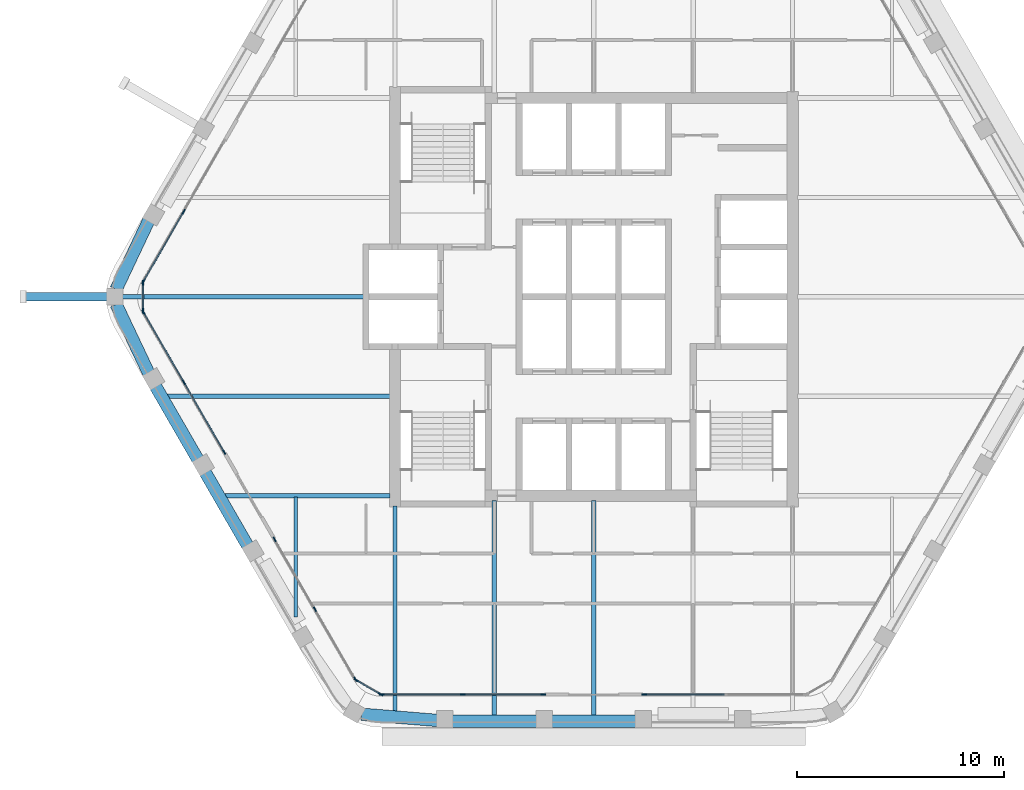
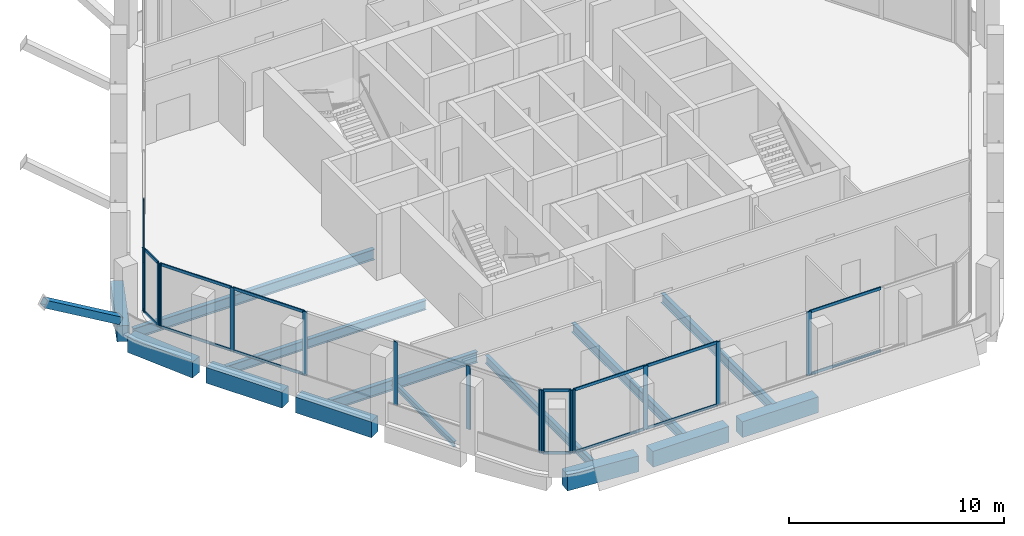
# One storey, part 2 of 14: 33 members, 14 beams, 7 elements without a shape of their own.
"""IFC4 building model written with IfcOpenShell, lengths in metres."""

from ifc_helpers import new_model, si_unit, direction, frame, origin, origin_2d, place, context, subcontext, project, spatial, rectangle, hollow_rectangle, i_section, extrude, material, material_profile, profile_set, type_object, element, aggregate, save


model = new_model("IFC4")

# Units and contexts
model_context = context("Model", 3, precision=1e-05, world=origin(), true_north=direction((0.0, 1.0)))
body_context = subcontext(model_context, "Body", "Model", "MODEL_VIEW")
ifc_project = project(units=[si_unit("LENGTHUNIT", "METRE"), si_unit("AREAUNIT", "SQUARE_METRE"), si_unit("VOLUMEUNIT", "CUBIC_METRE"), si_unit("PLANEANGLEUNIT", "RADIAN"), si_unit("MASSUNIT", "GRAM", prefix="KILO")], contexts=[model_context])

# Site, building, storey
site_placement = place(None, origin())
site = spatial("IfcSite", under=ifc_project, at=site_placement, CompositionType="ELEMENT")
building_placement = place(site_placement, origin())
building = spatial("IfcBuilding", under=site, at=building_placement, Name="Kolab Exchange Tower", CompositionType="ELEMENT")
storey_placement = place(building_placement, frame((0.0, 0.0, 250.10009765625)))
storey = spatial("IfcBuildingStorey", under=building, at=storey_placement, Name="L55", CompositionType="ELEMENT", Elevation=250.10009765625)

# Beams
ifc_material_1 = material(Name="Steel S355", Category="steel")
ifc_material_profile_1 = material_profile(ifc_material_1, i_section(OverallWidth=0.1650390625, OverallDepth=0.31005859375, WebThickness=0.005859375, FlangeThickness=0.009765625, at=origin_2d()), Name="W310X39")
ifc_profile_set_1 = profile_set([ifc_material_profile_1], Name="Steel S355")
beam_type_1 = type_object("IfcBeamType", Name="FLOOR BEAM W310X39", PredefinedType="BEAM", material=ifc_profile_set_1)
beam_1_placement = place(storey_placement, frame((-14.39990234375, -15.4677734375, -0.30517578125), z_axis=(0.0, 1.0, 0.0), x_axis=(-1.0, 0.0, 0.0)))
element("IfcBeam", 1, at=beam_1_placement, inside=storey, type_object=beam_type_1, Name="beam/L55/fr/003", PredefinedType="BEAM", context=body_context, shape_type="SweptSolid", body=[
    extrude(i_section(OverallWidth=0.1650390625, OverallDepth=0.31005859375, WebThickness=0.005859375, FlangeThickness=0.009765625, at=origin_2d()), origin(), (0.0, 0.0, 1.0), 5.793701171875),
])
ifc_material_profile_2 = material_profile(ifc_material_1, i_section(OverallWidth=0.18994140625, OverallDepth=0.45703125, WebThickness=0.009033203125, FlangeThickness=0.014404296875, at=origin_2d()), Name="W460X74")
ifc_profile_set_2 = profile_set([ifc_material_profile_2], Name="Steel S355")
beam_type_2 = type_object("IfcBeamType", Name="FLOOR BEAM W460X74", PredefinedType="BEAM", material=ifc_profile_set_2)
beam_2_placement = place(storey_placement, frame((-9.60009765625, -20.027099609375, -0.378662109375), z_axis=(0.0, 1.0, 0.0), x_axis=(-1.0, 0.0, 0.0)))
element("IfcBeam", 2, at=beam_2_placement, inside=storey, type_object=beam_type_2, Name="beam/L55/fr/005", PredefinedType="BEAM", context=body_context, shape_type="SweptSolid", body=[
    extrude(i_section(OverallWidth=0.18994140625, OverallDepth=0.45703125, WebThickness=0.009033203125, FlangeThickness=0.014404296875, at=origin_2d()), origin(), (0.0, 0.0, 1.0), 9.9169921875),
])
ifc_material_profile_3 = material_profile(ifc_material_1, i_section(OverallWidth=0.208984375, OverallDepth=0.532958984375, WebThickness=0.01025390625, FlangeThickness=0.015625, at=origin_2d()), Name="W530X92")
ifc_profile_set_3 = profile_set([ifc_material_profile_3], Name="Steel S355")
beam_type_3 = type_object("IfcBeamType", Name="FLOOR BEAM W530X92", PredefinedType="BEAM", material=ifc_profile_set_3)
beam_3_placement = place(storey_placement, frame((-20.575927734375, -4.800048828125, -0.41650390625), z_axis=(1.0, 0.0, 0.0), x_axis=(0.0, 1.0, 0.0)))
element("IfcBeam", 3, at=beam_3_placement, inside=storey, type_object=beam_type_3, Name="beam/L55/fr/001", PredefinedType="BEAM", context=body_context, shape_type="SweptSolid", body=[
    extrude(i_section(OverallWidth=0.208984375, OverallDepth=0.532958984375, WebThickness=0.01025390625, FlangeThickness=0.015625, at=origin_2d()), origin(), (0.0, 0.0, 1.0), 10.740966796875),
])
for number, where, z_axis, x_axis, name in (
    (4, (-4.800048828125, -20.224609375, -0.41650390625), (0.0, 1.0, 0.0), (-1.0, 0.0, 0.0), "beam/L55/fr/007"),
    (5, (0.0, -20.224609375, -0.41650390625), (0.0, 1.0, 0.0), (-1.0, 0.0, 0.0), "beam/L55/fr/009"),
):
    element("IfcBeam", number, at=place(storey_placement, frame(where, z_axis=z_axis, x_axis=x_axis)), inside=storey, type_object=beam_type_3, Name=name, PredefinedType="BEAM", context=body_context, shape_type="SweptSolid", body=[
        extrude(i_section(OverallWidth=0.208984375, OverallDepth=0.532958984375, WebThickness=0.01025390625, FlangeThickness=0.015625, at=origin_2d()), origin(), (0.0, 0.0, 1.0), 10.3896484375),
    ])
ifc_material_profile_4 = material_profile(ifc_material_1, i_section(OverallWidth=0.22802734375, OverallDepth=0.60791015625, WebThickness=0.01123046875, FlangeThickness=0.017333984375, at=origin_2d()), Name="W610X113")
ifc_profile_set_4 = profile_set([ifc_material_profile_4], Name="Steel S355")
beam_type_4 = type_object("IfcBeamType", Name="FLOOR BEAM W610X113", PredefinedType="BEAM", material=ifc_profile_set_4)
beam_4_placement = place(storey_placement, frame((-22.77587890625, 0.0, -0.4541015625), z_axis=(1.0, 0.0, 0.0), x_axis=(0.0, 1.0, 0.0)))
element("IfcBeam", 6, at=beam_4_placement, inside=storey, type_object=beam_type_4, Name="beam/L55/fr/000", PredefinedType="BEAM", context=body_context, shape_type="SweptSolid", body=[
    extrude(i_section(OverallWidth=0.22802734375, OverallDepth=0.60791015625, WebThickness=0.01123046875, FlangeThickness=0.017333984375, at=origin_2d()), origin(), (0.0, 0.0, 1.0), 12.94091796875),
])
ifc_material_profile_5 = material_profile(ifc_material_1, i_section(OverallWidth=0.22802734375, OverallDepth=0.60791015625, WebThickness=0.01123046875, FlangeThickness=0.017333984375, at=origin_2d()), Name="W610X113")
ifc_profile_set_5 = profile_set([ifc_material_profile_5], Name="Steel S355")
beam_type_5 = type_object("IfcBeamType", Name="FLOOR GIRDER W610X113", PredefinedType="BEAM", material=ifc_profile_set_5)
beam_5_placement = place(storey_placement, frame((-17.8046875, -9.60009765625, -0.4541015625), z_axis=(1.0, 0.0, 0.0), x_axis=(0.0, 1.0, 0.0)))
element("IfcBeam", 7, at=beam_5_placement, inside=storey, type_object=beam_type_5, Name="beam/L55/gd/000", PredefinedType="BEAM", context=body_context, shape_type="SweptSolid", body=[
    extrude(i_section(OverallWidth=0.22802734375, OverallDepth=0.60791015625, WebThickness=0.01123046875, FlangeThickness=0.017333984375, at=origin_2d()), origin(), (0.0, 0.0, 1.0), 7.9697265625),
])

# Member
ifc_material_profile_6 = material_profile(ifc_material_1, hollow_rectangle(XDim=0.39990234375, YDim=0.39990234375, WallThickness=0.02001953125, at=origin_2d()), Name="HSS400X400X20")
ifc_profile_set_6 = profile_set([ifc_material_profile_6], Name="Steel S355")
member_type_1 = type_object("IfcMemberType", Name="LEDGE STRUT HSS400X400X20", PredefinedType="STRUT", material=ifc_profile_set_6)
member_1_placement = place(storey_placement, frame((-23.495849609375, 0.0, 0.599853515625), z_axis=(-0.862710518859, 0.0, 0.505698092394), x_axis=(0.0, -1.0, 0.0)))
element("IfcMember", 8, at=member_1_placement, inside=storey, type_object=member_type_1, Name="mem/L55/ledge/strut-0", PredefinedType="STRUT", context=body_context, shape_type="SweptSolid", body=[
    extrude(hollow_rectangle(XDim=0.39990234375, YDim=0.39990234375, WallThickness=0.02001953125, at=origin_2d()), origin(), (0.0, 0.0, 1.0), 4.682861328125),
])

# Beams
ifc_material_2 = material(Name="Concrete C50/60", Category="concrete")
ifc_material_profile_7 = material_profile(ifc_material_2, rectangle(XDim=0.60009765625, YDim=0.89990234375, at=origin_2d()), Name="RC600X900")
ifc_profile_set_7 = profile_set([ifc_material_profile_7], Name="Concrete C50/60")
beam_type_6 = type_object("IfcBeamType", Name="SPANDREL BEAM 600X900 C50/60", PredefinedType="BEAM", material=ifc_profile_set_7)
for number, where, z_axis, x_axis, name in (
    (9, (2.0400390625, -20.484619140625, -0.60009765625), (-1.0, 0.0, 0.0), (0.0, -1.0, 0.0), "beam/L55/sp/F4-03"),
    (10, (-2.760009765625, -20.484619140625, -0.60009765625), (-1.0, 0.0, 0.0), (0.0, -1.0, 0.0), "beam/L55/sp/F4-04"),
):
    element("IfcBeam", number, at=place(storey_placement, frame(where, z_axis=z_axis, x_axis=x_axis)), inside=storey, type_object=beam_type_6, Name=name, PredefinedType="BEAM", context=body_context, shape_type="SweptSolid", body=[
        extrude(rectangle(XDim=0.60009765625, YDim=0.89990234375, at=origin_2d()), origin(), (0.0, 0.0, 1.0), 4.080078125),
    ])
beam_6_placement = place(storey_placement, frame((-7.56005859375, -20.455078125, -0.60009765625), z_axis=(-0.996666751878, 0.081580547323, 0.0), x_axis=(-0.081580547323, -0.996666751878, 0.0)))
element("IfcBeam", 11, at=beam_6_placement, inside=storey, type_object=beam_type_6, Name="beam/L55/sp/F4-05", PredefinedType="BEAM", context=body_context, shape_type="SweptSolid", body=[
    extrude(rectangle(XDim=0.60009765625, YDim=0.89990234375, at=origin_2d()), origin(), (0.0, 0.0, 1.0), 3.6689453125),
])
for number, where, z_axis, x_axis, name in (
    (12, (-16.72021484375, -12.009033203125, -0.60009765625), (-0.500000428765, 0.866025156237, 0.0), (-0.866025156237, -0.500000428765, 0.0), "beam/L55/sp/F5-03"),
    (13, (-19.1201171875, -7.85205078125, -0.60009765625), (-0.500000428765, 0.866025156237, 0.0), (-0.866025156237, -0.500000428765, 0.0), "beam/L55/sp/F5-04"),
):
    element("IfcBeam", number, at=place(storey_placement, frame(where, z_axis=z_axis, x_axis=x_axis)), inside=storey, type_object=beam_type_6, Name=name, PredefinedType="BEAM", context=body_context, shape_type="SweptSolid", body=[
        extrude(rectangle(XDim=0.60009765625, YDim=0.89990234375, at=origin_2d()), origin(), (0.0, 0.0, 1.0), 4.080078125),
    ])
for number, where, z_axis, x_axis, name in (
    (14, (-21.49462890625, -3.68017578125, -0.60009765625), (-0.427677251998, 0.903931506323, 0.0), (-0.903931506323, -0.427677251998, 0.0), "beam/L55/sp/F5-05"),
    (15, (-23.063720703125, 0.36376953125, -0.60009765625), (0.427677251998, 0.903931506323, 0.0), (-0.903931506323, 0.427677251998, 0.0), "beam/L55/sp/F6-01"),
):
    element("IfcBeam", number, at=place(storey_placement, frame(where, z_axis=z_axis, x_axis=x_axis)), inside=storey, type_object=beam_type_6, Name=name, PredefinedType="BEAM", context=body_context, shape_type="SweptSolid", body=[
        extrude(rectangle(XDim=0.60009765625, YDim=0.89990234375, at=origin_2d()), origin(), (0.0, 0.0, 1.0), 3.6689453125),
    ])

# Curtain wall, member
ifc_material_3 = material(Name="Aluminium EN AW-6063 T6", Category="aluminium")
curtain_wall_type = type_object("IfcCurtainWallType", Name="UNITISED HIGH ZONE CURTAIN WALL", PredefinedType="NOTDEFINED", material=ifc_material_3)
curtain_wall_1_placement = place(storey_placement, origin())
curtain_wall_1 = element("IfcCurtainWall", 16, at=curtain_wall_1_placement, inside=storey, type_object=curtain_wall_type, Name="cw/L55/F4-1", PredefinedType="NOTDEFINED")
ifc_material_profile_8 = material_profile(ifc_material_3, rectangle(XDim=0.06005859375, YDim=0.239990234375, at=origin_2d()), Name="RECT 60X240")
ifc_profile_set_8 = profile_set([ifc_material_profile_8], Name="Aluminium EN AW-6063 T6")
member_type_2 = type_object("IfcMemberType", Name="UNITISED HIGH ZONE MULLION 60 X 240", PredefinedType="MULLION", material=ifc_profile_set_8)
member_2_placement = place(storey_placement, frame((2.429931640625, -19.20458984375, 0.0), z_axis=(0.0, 0.0, 1.0), x_axis=(0.0, -1.0, 0.0)))
member_2 = element("IfcMember", 17, at=member_2_placement, type_object=member_type_2, Name="CW4 mullion 3", PredefinedType="MULLION", context=body_context, shape_type="SweptSolid", body=[
    extrude(rectangle(XDim=0.06005859375, YDim=0.239990234375, at=origin_2d()), origin(), (0.0, 0.0, 1.0), 3.599853515625),
])

# Curtain wall, members
curtain_wall_2_placement = place(storey_placement, origin())
curtain_wall_2 = element("IfcCurtainWall", 18, at=curtain_wall_2_placement, inside=storey, type_object=curtain_wall_type, Name="cw/L55/F4-2", PredefinedType="NOTDEFINED")
member_3_placement = place(storey_placement, frame((-2.429931640625, -19.20458984375, 0.0), z_axis=(0.0, 0.0, 1.0), x_axis=(0.0, -1.0, 0.0)))
member_3 = element("IfcMember", 19, at=member_3_placement, type_object=member_type_2, Name="CW4 mullion 1", PredefinedType="MULLION", context=body_context, shape_type="SweptSolid", body=[
    extrude(rectangle(XDim=0.06005859375, YDim=0.239990234375, at=origin_2d()), origin(), (0.0, 0.0, 1.0), 3.599853515625),
])
member_4_placement = place(storey_placement, frame((-6.333984375, -19.20458984375, 0.0), z_axis=(0.0, 0.0, 1.0), x_axis=(0.0, -1.0, 0.0)))
member_4 = element("IfcMember", 20, at=member_4_placement, type_object=member_type_2, Name="CW4 mullion 2", PredefinedType="MULLION", context=body_context, shape_type="SweptSolid", body=[
    extrude(rectangle(XDim=0.06005859375, YDim=0.239990234375, at=origin_2d()), origin(), (0.0, 0.0, 1.0), 3.599853515625),
])
member_5_placement = place(storey_placement, frame((-10.238037109375, -19.20458984375, 0.0), z_axis=(0.0, 0.0, 1.0), x_axis=(0.0, -1.0, 0.0)))
member_5 = element("IfcMember", 21, at=member_5_placement, type_object=member_type_2, Name="CW4 mullion 3", PredefinedType="MULLION", context=body_context, shape_type="SweptSolid", body=[
    extrude(rectangle(XDim=0.06005859375, YDim=0.239990234375, at=origin_2d()), origin(), (0.0, 0.0, 1.0), 3.599853515625),
])

curtain_wall_3_placement = place(storey_placement, origin())
curtain_wall_3 = element("IfcCurtainWall", 22, at=curtain_wall_3_placement, inside=storey, type_object=curtain_wall_type, Name="cw/L55/F5-1", PredefinedType="NOTDEFINED")
member_6_placement = place(storey_placement, frame((-11.5126953125, -18.46875, 0.0), z_axis=(0.0, 0.0, 1.0), x_axis=(-0.866025385493, -0.500000031681, 0.0)))
member_6 = element("IfcMember", 23, at=member_6_placement, type_object=member_type_2, Name="CW4 mullion 1", PredefinedType="MULLION", context=body_context, shape_type="SweptSolid", body=[
    extrude(rectangle(XDim=0.06005859375, YDim=0.239990234375, at=origin_2d()), origin(), (0.0, 0.0, 1.0), 3.599853515625),
])
member_7_placement = place(storey_placement, frame((-13.464599609375, -15.087646484375, 0.0), z_axis=(0.0, 0.0, 1.0), x_axis=(-0.866025385493, -0.500000031681, 0.0)))
member_7 = element("IfcMember", 24, at=member_7_placement, type_object=member_type_2, Name="CW4 mullion 2", PredefinedType="MULLION", context=body_context, shape_type="SweptSolid", body=[
    extrude(rectangle(XDim=0.06005859375, YDim=0.239990234375, at=origin_2d()), origin(), (0.0, 0.0, 1.0), 3.599853515625),
])
member_8_placement = place(storey_placement, frame((-15.416748046875, -11.706787109375, 0.0), z_axis=(0.0, 0.0, 1.0), x_axis=(-0.866025385493, -0.500000031681, 0.0)))
member_8 = element("IfcMember", 25, at=member_8_placement, type_object=member_type_2, Name="CW4 mullion 3", PredefinedType="MULLION", context=body_context, shape_type="SweptSolid", body=[
    extrude(rectangle(XDim=0.06005859375, YDim=0.239990234375, at=origin_2d()), origin(), (0.0, 0.0, 1.0), 3.599853515625),
])
aggregate(curtain_wall_3, [member_6, member_7, member_8])

curtain_wall_4_placement = place(storey_placement, origin())
curtain_wall_4 = element("IfcCurtainWall", 26, at=curtain_wall_4_placement, inside=storey, type_object=curtain_wall_type, Name="cw/L55/F5-2", PredefinedType="NOTDEFINED")
member_9_placement = place(storey_placement, frame((-17.8466796875, -7.497802734375, 0.0), z_axis=(0.0, 0.0, 1.0), x_axis=(-0.866025440524, -0.499999936366, 0.0)))
member_9 = element("IfcMember", 27, at=member_9_placement, type_object=member_type_2, Name="CW4 mullion 1", PredefinedType="MULLION", context=body_context, shape_type="SweptSolid", body=[
    extrude(rectangle(XDim=0.06005859375, YDim=0.239990234375, at=origin_2d()), origin(), (0.0, 0.0, 1.0), 3.599853515625),
])
member_10_placement = place(storey_placement, frame((-19.798583984375, -4.116943359375, 0.0), z_axis=(0.0, 0.0, 1.0), x_axis=(-0.866025440524, -0.499999936366, 0.0)))
member_10 = element("IfcMember", 28, at=member_10_placement, type_object=member_type_2, Name="CW4 mullion 2", PredefinedType="MULLION", context=body_context, shape_type="SweptSolid", body=[
    extrude(rectangle(XDim=0.06005859375, YDim=0.239990234375, at=origin_2d()), origin(), (0.0, 0.0, 1.0), 3.599853515625),
])
member_11_placement = place(storey_placement, frame((-21.750732421875, -0.736083984375, 0.0), z_axis=(0.0, 0.0, 1.0), x_axis=(-0.866025440524, -0.499999936366, 0.0)))
member_11 = element("IfcMember", 29, at=member_11_placement, type_object=member_type_2, Name="CW4 mullion 3", PredefinedType="MULLION", context=body_context, shape_type="SweptSolid", body=[
    extrude(rectangle(XDim=0.06005859375, YDim=0.239990234375, at=origin_2d()), origin(), (0.0, 0.0, 1.0), 3.599853515625),
])

curtain_wall_5_placement = place(storey_placement, origin())
curtain_wall_5 = element("IfcCurtainWall", 30, at=curtain_wall_5_placement, inside=storey, type_object=curtain_wall_type, Name="cw/L55/F6-1", PredefinedType="NOTDEFINED")
member_12_placement = place(storey_placement, frame((-21.750732421875, 0.736083984375, 0.0), z_axis=(0.0, 0.0, 1.0), x_axis=(-0.866025440524, 0.499999936366, 0.0)))
member_12 = element("IfcMember", 31, at=member_12_placement, type_object=member_type_2, Name="CW4 mullion 1", PredefinedType="MULLION", context=body_context, shape_type="SweptSolid", body=[
    extrude(rectangle(XDim=0.06005859375, YDim=0.239990234375, at=origin_2d()), origin(), (0.0, 0.0, 1.0), 3.599853515625),
])
member_13_placement = place(storey_placement, frame((-19.798583984375, 4.116943359375, 0.0), z_axis=(0.0, 0.0, 1.0), x_axis=(-0.866025440524, 0.499999936366, 0.0)))
member_13 = element("IfcMember", 32, at=member_13_placement, type_object=member_type_2, Name="CW4 mullion 2", PredefinedType="MULLION", context=body_context, shape_type="SweptSolid", body=[
    extrude(rectangle(XDim=0.06005859375, YDim=0.239990234375, at=origin_2d()), origin(), (0.0, 0.0, 1.0), 3.599853515625),
])

curtain_wall_6_placement = place(storey_placement, origin())
curtain_wall_6 = element("IfcCurtainWall", 33, at=curtain_wall_6_placement, inside=storey, type_object=curtain_wall_type, Name="cw/L55/F4F5-corner", PredefinedType="NOTDEFINED")
member_14_placement = place(storey_placement, frame((-10.2939453125, -19.189697265625, 0.0), z_axis=(0.0, 0.0, 1.0), x_axis=(-0.50000002237, -0.866025390869, 0.0)))
member_14 = element("IfcMember", 34, at=member_14_placement, type_object=member_type_2, Name="CW4 mullion 1", PredefinedType="MULLION", context=body_context, shape_type="SweptSolid", body=[
    extrude(rectangle(XDim=0.06005859375, YDim=0.239990234375, at=origin_2d()), origin(), (0.0, 0.0, 1.0), 3.599853515625),
])
member_15_placement = place(storey_placement, frame((-11.4716796875, -18.509521484375, 0.0), z_axis=(0.0, 0.0, 1.0), x_axis=(-0.50000002237, -0.866025390869, 0.0)))
member_15 = element("IfcMember", 35, at=member_15_placement, type_object=member_type_2, Name="CW4 mullion 2", PredefinedType="MULLION", context=body_context, shape_type="SweptSolid", body=[
    extrude(rectangle(XDim=0.06005859375, YDim=0.239990234375, at=origin_2d()), origin(), (0.0, 0.0, 1.0), 3.599853515625),
])

curtain_wall_7_placement = place(storey_placement, origin())
curtain_wall_7 = element("IfcCurtainWall", 36, at=curtain_wall_7_placement, inside=storey, type_object=curtain_wall_type, Name="cw/L55/F5F6-corner", PredefinedType="NOTDEFINED")
member_16_placement = place(storey_placement, frame((-21.765625, -0.679931640625, 0.0), z_axis=(0.0, 0.0, 1.0), x_axis=(-1.0, 0.0, 0.0)))
member_16 = element("IfcMember", 37, at=member_16_placement, type_object=member_type_2, Name="CW4 mullion 1", PredefinedType="MULLION", context=body_context, shape_type="SweptSolid", body=[
    extrude(rectangle(XDim=0.06005859375, YDim=0.239990234375, at=origin_2d()), origin(), (0.0, 0.0, 1.0), 3.599853515625),
])
member_17_placement = place(storey_placement, frame((-21.765625, 0.679931640625, 0.0), z_axis=(0.0, 0.0, 1.0), x_axis=(-1.0, 0.0, 0.0)))
member_17 = element("IfcMember", 38, at=member_17_placement, type_object=member_type_2, Name="CW4 mullion 2", PredefinedType="MULLION", context=body_context, shape_type="SweptSolid", body=[
    extrude(rectangle(XDim=0.06005859375, YDim=0.239990234375, at=origin_2d()), origin(), (0.0, 0.0, 1.0), 3.599853515625),
])

# Member
ifc_material_profile_9 = material_profile(ifc_material_3, rectangle(XDim=0.06005859375, YDim=0.159912109375, at=origin_2d()), Name="RECT 60X160")
ifc_profile_set_9 = profile_set([ifc_material_profile_9], Name="Aluminium EN AW-6063 T6")
member_type_3 = type_object("IfcMemberType", Name="UNITISED HIGH ZONE TRANSOM 60 X 160", PredefinedType="USERDEFINED", material=ifc_profile_set_9)
member_18_placement = place(storey_placement, frame((6.303955078125, -19.20458984375, 0.02978515625), z_axis=(-1.0, 0.0, 0.0), x_axis=(0.0, -1.0, 0.0)))
member_18 = element("IfcMember", 39, at=member_18_placement, type_object=member_type_3, Name="CW4 transom 2.1", ObjectType="TRANSOM", PredefinedType="USERDEFINED", context=body_context, shape_type="SweptSolid", body=[
    extrude(rectangle(XDim=0.06005859375, YDim=0.159912109375, at=origin_2d()), origin(), (0.0, 0.0, 1.0), 3.843994140625),
])

member_19_placement = place(storey_placement, frame((6.303955078125, -19.20458984375, 3.56982421875), z_axis=(-1.0, 0.0, 0.0), x_axis=(0.0, -1.0, 0.0)))
member_19 = element("IfcMember", 40, at=member_19_placement, type_object=member_type_3, Name="CW4 transom 2.2", ObjectType="TRANSOM", PredefinedType="USERDEFINED", context=body_context, shape_type="SweptSolid", body=[
    extrude(rectangle(XDim=0.06005859375, YDim=0.159912109375, at=origin_2d()), origin(), (0.0, 0.0, 1.0), 3.843994140625),
])

aggregate(curtain_wall_1, [member_2, member_18, member_19])

member_20_placement = place(storey_placement, frame((-2.4599609375, -19.20458984375, 0.02978515625), z_axis=(-1.0, 0.0, 0.0), x_axis=(0.0, -1.0, 0.0)))
member_20 = element("IfcMember", 41, at=member_20_placement, type_object=member_type_3, Name="CW4 transom 1.1", ObjectType="TRANSOM", PredefinedType="USERDEFINED", context=body_context, shape_type="SweptSolid", body=[
    extrude(rectangle(XDim=0.06005859375, YDim=0.159912109375, at=origin_2d()), origin(), (0.0, 0.0, 1.0), 3.843994140625),
])

member_21_placement = place(storey_placement, frame((-2.4599609375, -19.20458984375, 3.56982421875), z_axis=(-1.0, 0.0, 0.0), x_axis=(0.0, -1.0, 0.0)))
member_21 = element("IfcMember", 42, at=member_21_placement, type_object=member_type_3, Name="CW4 transom 1.2", ObjectType="TRANSOM", PredefinedType="USERDEFINED", context=body_context, shape_type="SweptSolid", body=[
    extrude(rectangle(XDim=0.06005859375, YDim=0.159912109375, at=origin_2d()), origin(), (0.0, 0.0, 1.0), 3.843994140625),
])

member_22_placement = place(storey_placement, frame((-6.364013671875, -19.20458984375, 0.02978515625), z_axis=(-1.0, 0.0, 0.0), x_axis=(0.0, -1.0, 0.0)))
member_22 = element("IfcMember", 43, at=member_22_placement, type_object=member_type_3, Name="CW4 transom 2.1", ObjectType="TRANSOM", PredefinedType="USERDEFINED", context=body_context, shape_type="SweptSolid", body=[
    extrude(rectangle(XDim=0.06005859375, YDim=0.159912109375, at=origin_2d()), origin(), (0.0, 0.0, 1.0), 3.843994140625),
])

member_23_placement = place(storey_placement, frame((-6.364013671875, -19.20458984375, 3.56982421875), z_axis=(-1.0, 0.0, 0.0), x_axis=(0.0, -1.0, 0.0)))
member_23 = element("IfcMember", 44, at=member_23_placement, type_object=member_type_3, Name="CW4 transom 2.2", ObjectType="TRANSOM", PredefinedType="USERDEFINED", context=body_context, shape_type="SweptSolid", body=[
    extrude(rectangle(XDim=0.06005859375, YDim=0.159912109375, at=origin_2d()), origin(), (0.0, 0.0, 1.0), 3.843994140625),
])

aggregate(curtain_wall_2, [member_3, member_4, member_5, member_20, member_21, member_22, member_23])

member_24_placement = place(storey_placement, frame((-17.861572265625, -7.471923828125, 0.02978515625), z_axis=(-0.500011990396, 0.866018481016, 0.0), x_axis=(-0.866018481016, -0.500011990396, 0.0)))
member_24 = element("IfcMember", 45, at=member_24_placement, type_object=member_type_3, Name="CW4 transom 1.1", ObjectType="TRANSOM", PredefinedType="USERDEFINED", context=body_context, shape_type="SweptSolid", body=[
    extrude(rectangle(XDim=0.06005859375, YDim=0.159912109375, at=origin_2d()), origin(), (0.0, 0.0, 1.0), 3.84423828125),
])

member_25_placement = place(storey_placement, frame((-17.861572265625, -7.471923828125, 3.56982421875), z_axis=(-0.500011990396, 0.866018481016, 0.0), x_axis=(-0.866018481016, -0.500011990396, 0.0)))
member_25 = element("IfcMember", 46, at=member_25_placement, type_object=member_type_3, Name="CW4 transom 1.2", ObjectType="TRANSOM", PredefinedType="USERDEFINED", context=body_context, shape_type="SweptSolid", body=[
    extrude(rectangle(XDim=0.06005859375, YDim=0.159912109375, at=origin_2d()), origin(), (0.0, 0.0, 1.0), 3.84423828125),
])

member_26_placement = place(storey_placement, frame((-19.813720703125, -4.0908203125, 0.02978515625), z_axis=(-0.499991857942, 0.866030104553, 0.0), x_axis=(-0.866030104553, -0.499991857942, 0.0)))
member_26 = element("IfcMember", 47, at=member_26_placement, type_object=member_type_3, Name="CW4 transom 2.1", ObjectType="TRANSOM", PredefinedType="USERDEFINED", context=body_context, shape_type="SweptSolid", body=[
    extrude(rectangle(XDim=0.06005859375, YDim=0.159912109375, at=origin_2d()), origin(), (0.0, 0.0, 1.0), 3.84375),
])

member_27_placement = place(storey_placement, frame((-19.813720703125, -4.0908203125, 3.56982421875), z_axis=(-0.499991857942, 0.866030104553, 0.0), x_axis=(-0.866030104553, -0.499991857942, 0.0)))
member_27 = element("IfcMember", 48, at=member_27_placement, type_object=member_type_3, Name="CW4 transom 2.2", ObjectType="TRANSOM", PredefinedType="USERDEFINED", context=body_context, shape_type="SweptSolid", body=[
    extrude(rectangle(XDim=0.06005859375, YDim=0.159912109375, at=origin_2d()), origin(), (0.0, 0.0, 1.0), 3.84375),
])

aggregate(curtain_wall_4, [member_9, member_10, member_11, member_24, member_25, member_26, member_27])

member_28_placement = place(storey_placement, frame((-21.735595703125, 0.761962890625, 0.02978515625), z_axis=(0.499991857942, 0.866030104553, 0.0), x_axis=(-0.866030104553, 0.499991857942, 0.0)))
member_28 = element("IfcMember", 49, at=member_28_placement, type_object=member_type_3, Name="CW4 transom 1.1", ObjectType="TRANSOM", PredefinedType="USERDEFINED", context=body_context, shape_type="SweptSolid", body=[
    extrude(rectangle(XDim=0.06005859375, YDim=0.159912109375, at=origin_2d()), origin(), (0.0, 0.0, 1.0), 3.84375),
])

member_29_placement = place(storey_placement, frame((-21.735595703125, 0.761962890625, 3.56982421875), z_axis=(0.499991857942, 0.866030104553, 0.0), x_axis=(-0.866030104553, 0.499991857942, 0.0)))
member_29 = element("IfcMember", 50, at=member_29_placement, type_object=member_type_3, Name="CW4 transom 1.2", ObjectType="TRANSOM", PredefinedType="USERDEFINED", context=body_context, shape_type="SweptSolid", body=[
    extrude(rectangle(XDim=0.06005859375, YDim=0.159912109375, at=origin_2d()), origin(), (0.0, 0.0, 1.0), 3.84375),
])

aggregate(curtain_wall_5, [member_12, member_13, member_28, member_29])

member_30_placement = place(storey_placement, frame((-10.31982421875, -19.174560546875, 0.02978515625), z_axis=(-0.866085525409, 0.49989585183, 0.0), x_axis=(-0.49989585183, -0.866085525409, 0.0)))
member_30 = element("IfcMember", 51, at=member_30_placement, type_object=member_type_3, Name="CW4 transom 1.1", ObjectType="TRANSOM", PredefinedType="USERDEFINED", context=body_context, shape_type="SweptSolid", body=[
    extrude(rectangle(XDim=0.06005859375, YDim=0.159912109375, at=origin_2d()), origin(), (0.0, 0.0, 1.0), 1.300048828125),
])

member_31_placement = place(storey_placement, frame((-10.31982421875, -19.174560546875, 3.56982421875), z_axis=(-0.866085525409, 0.49989585183, 0.0), x_axis=(-0.49989585183, -0.866085525409, 0.0)))
member_31 = element("IfcMember", 52, at=member_31_placement, type_object=member_type_3, Name="CW4 transom 1.2", ObjectType="TRANSOM", PredefinedType="USERDEFINED", context=body_context, shape_type="SweptSolid", body=[
    extrude(rectangle(XDim=0.06005859375, YDim=0.159912109375, at=origin_2d()), origin(), (0.0, 0.0, 1.0), 1.300048828125),
])

aggregate(curtain_wall_6, [member_14, member_15, member_30, member_31])

member_32_placement = place(storey_placement, frame((-21.765625, -0.64990234375, 0.02978515625), z_axis=(0.0, 1.0, 0.0), x_axis=(-1.0, 0.0, 0.0)))
member_32 = element("IfcMember", 53, at=member_32_placement, type_object=member_type_3, Name="CW4 transom 1.1", ObjectType="TRANSOM", PredefinedType="USERDEFINED", context=body_context, shape_type="SweptSolid", body=[
    extrude(rectangle(XDim=0.06005859375, YDim=0.159912109375, at=origin_2d()), origin(), (0.0, 0.0, 1.0), 1.2998046875),
])

member_33_placement = place(storey_placement, frame((-21.765625, -0.64990234375, 3.56982421875), z_axis=(0.0, 1.0, 0.0), x_axis=(-1.0, 0.0, 0.0)))
member_33 = element("IfcMember", 54, at=member_33_placement, type_object=member_type_3, Name="CW4 transom 1.2", ObjectType="TRANSOM", PredefinedType="USERDEFINED", context=body_context, shape_type="SweptSolid", body=[
    extrude(rectangle(XDim=0.06005859375, YDim=0.159912109375, at=origin_2d()), origin(), (0.0, 0.0, 1.0), 1.2998046875),
])

aggregate(curtain_wall_7, [member_16, member_17, member_32, member_33])

save(model, "model.ifc")
